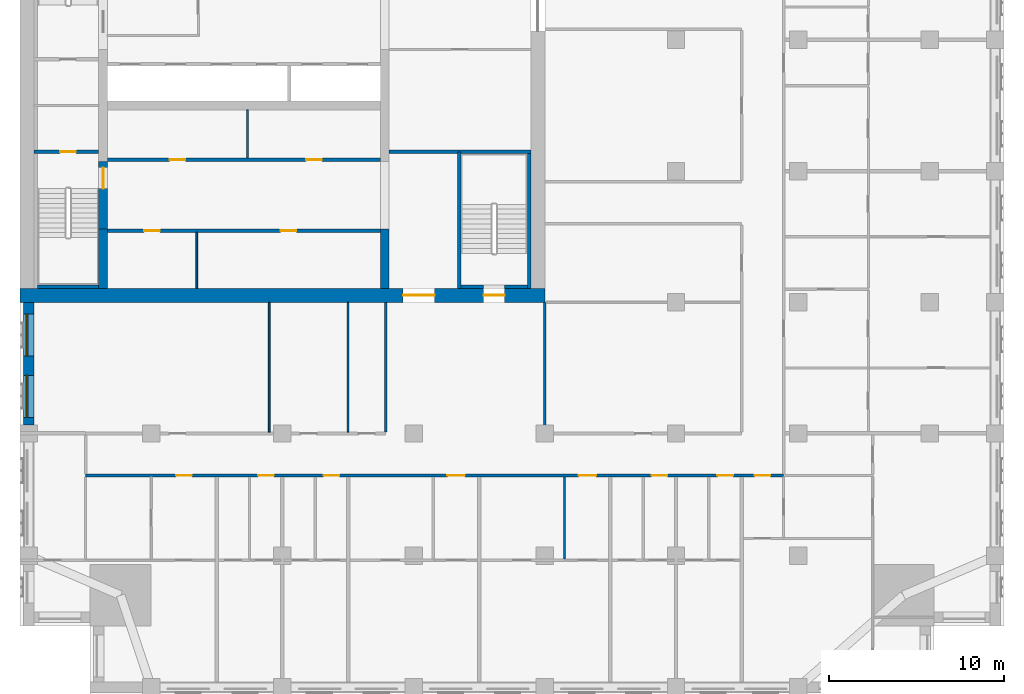
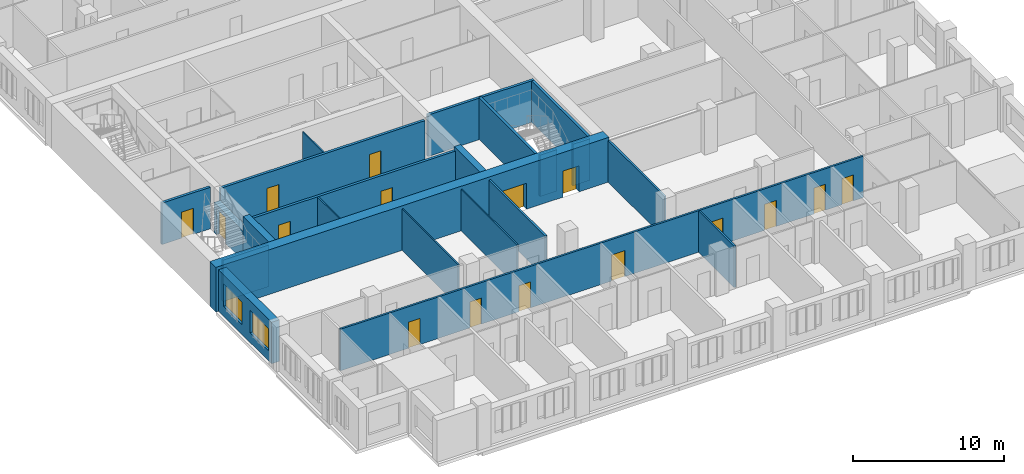
# One storey, part 5 of 14: 22 walls, 16 doors, 2 windows, 18 openings.
"""IFC4 building model written with IfcOpenShell, lengths in metres."""

from ifc_helpers import new_model, si_unit, direction, frame, frame_2d, origin, place, context, subcontext, project, spatial, rectangle, extrude, material, layer, layer_set, type_object, element, fill, save


model = new_model("IFC4")

# Units and contexts
model_context = context("Model", 3, precision=1e-05, world=origin(), true_north=direction((0.0, 1.0)))
body_context = subcontext(model_context, "Body", "Model", "MODEL_VIEW")
ifc_project = project(units=[si_unit("LENGTHUNIT", "METRE"), si_unit("AREAUNIT", "SQUARE_METRE"), si_unit("VOLUMEUNIT", "CUBIC_METRE"), si_unit("PLANEANGLEUNIT", "RADIAN"), si_unit("MASSUNIT", "GRAM", prefix="KILO")], contexts=[model_context])

# Site, building, storey
site_placement = place(None, origin())
site = spatial("IfcSite", under=ifc_project, at=site_placement, CompositionType="ELEMENT")
building_placement = place(site_placement, origin())
building = spatial("IfcBuilding", under=site, at=building_placement, Name="Tamorin Gate", CompositionType="ELEMENT")
storey_placement = place(building_placement, frame((0.0, 0.0, 155.39990234375)))
storey = spatial("IfcBuildingStorey", under=building, at=storey_placement, Name="L38", CompositionType="ELEMENT", Elevation=155.39990234375)

# Wall, openings, windows
ifc_material_1 = material(Name="Precast concrete C40/50", Category="concrete")
ifc_layer_1 = layer(ifc_material_1, 0.60009765625)
ifc_layer_set_1 = layer_set([ifc_layer_1], Name="Precast concrete C40/50")
wall_type_1 = type_object("IfcWallType", Name="Board-marked concrete facade panel 600", PredefinedType="SOLIDWALL", material=ifc_layer_set_1)
wall_1_placement = place(storey_placement, frame((30.5, 60.0, 0.0), z_axis=(0.0, 0.0, 1.0), x_axis=(0.0, -1.0, 0.0)))
wall_1 = element("IfcWall", 1, at=wall_1_placement, inside=storey, type_object=wall_type_1, Name="Facade panel", PredefinedType="SOLIDWALL", context=body_context, shape_type="SweptSolid", body=[
    extrude(rectangle(XDim=7.0, YDim=0.60009765625, at=frame_2d((3.5, 0.0))), origin(), (0.0, 0.0, 1.0), 3.35009765625),
])
opening_1_placement = place(wall_1_placement, frame((4.175048828125, 0.0, 0.800048828125)))
opening_1 = element("IfcOpeningElement", 2, at=opening_1_placement, cuts=wall_1, Name="Opening WN1", PredefinedType="OPENING", context=body_context, shape_type="SweptSolid", body=[
    extrude(rectangle(XDim=2.39990234375, YDim=1.800048828125, at=frame_2d((1.199951171875, 0.89990234375))), frame((0.0, 0.31005859375, 0.0), z_axis=(0.0, -1.0, 0.0), x_axis=(1.0, 0.0, 0.0)), (0.0, 0.0, 1.0), 0.6201171875),
])
opening_2_placement = place(wall_1_placement, frame((0.675048828125, 0.0, 0.800048828125)))
opening_2 = element("IfcOpeningElement", 3, at=opening_2_placement, cuts=wall_1, Name="Opening WN1", PredefinedType="OPENING", context=body_context, shape_type="SweptSolid", body=[
    extrude(rectangle(XDim=2.39990234375, YDim=1.800048828125, at=frame_2d((1.199951171875, 0.89990234375))), frame((0.0, 0.31005859375, 0.0), z_axis=(0.0, -1.0, 0.0), x_axis=(1.0, 0.0, 0.0)), (0.0, 0.0, 1.0), 0.6201171875),
])
ifc_material_2 = material(Name="Clear glass in aluminium frame", Category="aluminium")
window_type = type_object("IfcWindowType", Name="Deep-set window 2400x1800", PartitioningType="SINGLE_PANEL", PredefinedType="WINDOW", material=ifc_material_2)
window_1_placement = place(opening_1_placement, origin())
window_1 = element("IfcWindow", 4, at=window_1_placement, inside=storey, type_object=window_type, Name="Deep-set window", OverallHeight=1.800048828125, OverallWidth=2.39990234375, PartitioningType="SINGLE_PANEL", PredefinedType="WINDOW", context=body_context, shape_type="SweptSolid", body=[
    extrude(rectangle(XDim=2.39990234375, YDim=1.800048828125, at=frame_2d((1.199951171875, 0.89990234375))), frame((0.0, -0.070068359375, 0.0), z_axis=(0.0, -1.0, 0.0), x_axis=(1.0, 0.0, 0.0)), (0.0, 0.0, 1.0), 0.06005859375),
])
fill(opening_1, window_1)
window_2_placement = place(opening_2_placement, origin())
window_2 = element("IfcWindow", 5, at=window_2_placement, inside=storey, type_object=window_type, Name="Deep-set window", OverallHeight=1.800048828125, OverallWidth=2.39990234375, PartitioningType="SINGLE_PANEL", PredefinedType="WINDOW", context=body_context, shape_type="SweptSolid", body=[
    extrude(rectangle(XDim=2.39990234375, YDim=1.800048828125, at=frame_2d((1.199951171875, 0.89990234375))), frame((0.0, -0.070068359375, 0.0), z_axis=(0.0, -1.0, 0.0), x_axis=(1.0, 0.0, 0.0)), (0.0, 0.0, 1.0), 0.06005859375),
])
fill(opening_2, window_2)

# Wall, openings, doors
ifc_material_3 = material(Name="Gypsum board partition")
ifc_layer_2 = layer(ifc_material_3, 0.14990234375)
ifc_layer_set_2 = layer_set([ifc_layer_2], Name="Corridor wall 150")
wall_type_2 = type_object("IfcWallType", Name="Corridor wall 150", PredefinedType="PARTITIONING", material=ifc_layer_set_2)
wall_2_placement = place(storey_placement, frame((33.75, 50.10009765625, 0.0), z_axis=(0.0, 0.0, 1.0), x_axis=(1.0, 0.0, 0.0)))
wall_2 = element("IfcWall", 6, at=wall_2_placement, inside=storey, type_object=wall_type_2, Name="Corridor wall 150", PredefinedType="PARTITIONING", context=body_context, shape_type="SweptSolid", body=[
    extrude(rectangle(XDim=39.89990234375, YDim=0.14990234375, at=frame_2d((19.949951171875, 0.0))), origin(), (0.0, 0.0, 1.0), 3.35009765625),
])
opening_3_placement = place(wall_2_placement, frame((5.175048828125, 0.0, 0.0)))
opening_3 = element("IfcOpeningElement", 7, at=opening_3_placement, cuts=wall_2, Name="Opening DS4003", PredefinedType="OPENING", context=body_context, shape_type="SweptSolid", body=[
    extrude(rectangle(XDim=0.89990234375, YDim=2.10009765625, at=frame_2d((0.449951171875, 1.050048828125))), frame((0.0, 0.0849609375, 0.0), z_axis=(0.0, -1.0, 0.0), x_axis=(1.0, 0.0, 0.0)), (0.0, 0.0, 1.0), 0.169921875),
])
opening_4_placement = place(wall_2_placement, frame((9.862548828125, 0.0, 0.0)))
opening_4 = element("IfcOpeningElement", 8, at=opening_4_placement, cuts=wall_2, Name="Opening DS4006", PredefinedType="OPENING", context=body_context, shape_type="SweptSolid", body=[
    extrude(rectangle(XDim=0.89990234375, YDim=2.10009765625, at=frame_2d((0.449951171875, 1.050048828125))), frame((0.0, 0.0849609375, 0.0), z_axis=(0.0, -1.0, 0.0), x_axis=(1.0, 0.0, 0.0)), (0.0, 0.0, 1.0), 0.169921875),
])
opening_5_placement = place(wall_2_placement, frame((13.612548828125, 0.0, 0.0)))
opening_5 = element("IfcOpeningElement", 9, at=opening_5_placement, cuts=wall_2, Name="Opening DS4009", PredefinedType="OPENING", context=body_context, shape_type="SweptSolid", body=[
    extrude(rectangle(XDim=0.89990234375, YDim=2.10009765625, at=frame_2d((0.449951171875, 1.050048828125))), frame((0.0, 0.0849609375, 0.0), z_axis=(0.0, -1.0, 0.0), x_axis=(1.0, 0.0, 0.0)), (0.0, 0.0, 1.0), 0.169921875),
])
opening_6_placement = place(wall_2_placement, frame((20.6875, 0.0, 0.0)))
opening_6 = element("IfcOpeningElement", 10, at=opening_6_placement, cuts=wall_2, Name="Opening DS4012", PredefinedType="OPENING", context=body_context, shape_type="SweptSolid", body=[
    extrude(rectangle(XDim=1.0, YDim=2.10009765625, at=frame_2d((0.5, 1.050048828125))), frame((0.0, 0.0849609375, 0.0), z_axis=(0.0, -1.0, 0.0), x_axis=(1.0, 0.0, 0.0)), (0.0, 0.0, 1.0), 0.169921875),
])
opening_7_placement = place(wall_2_placement, frame((28.1875, 0.0, 0.0)))
opening_7 = element("IfcOpeningElement", 11, at=opening_7_placement, cuts=wall_2, Name="Opening DS4015", PredefinedType="OPENING", context=body_context, shape_type="SweptSolid", body=[
    extrude(rectangle(XDim=1.0, YDim=2.10009765625, at=frame_2d((0.5, 1.050048828125))), frame((0.0, 0.0849609375, 0.0), z_axis=(0.0, -1.0, 0.0), x_axis=(1.0, 0.0, 0.0)), (0.0, 0.0, 1.0), 0.169921875),
])
opening_8_placement = place(wall_2_placement, frame((32.362548828125, 0.0, 0.0)))
opening_8 = element("IfcOpeningElement", 12, at=opening_8_placement, cuts=wall_2, Name="Opening DS4018", PredefinedType="OPENING", context=body_context, shape_type="SweptSolid", body=[
    extrude(rectangle(XDim=0.89990234375, YDim=2.10009765625, at=frame_2d((0.449951171875, 1.050048828125))), frame((0.0, 0.0849609375, 0.0), z_axis=(0.0, -1.0, 0.0), x_axis=(1.0, 0.0, 0.0)), (0.0, 0.0, 1.0), 0.169921875),
])
opening_9_placement = place(wall_2_placement, frame((36.112548828125, 0.0, 0.0)))
opening_9 = element("IfcOpeningElement", 13, at=opening_9_placement, cuts=wall_2, Name="Opening DS4021", PredefinedType="OPENING", context=body_context, shape_type="SweptSolid", body=[
    extrude(rectangle(XDim=0.89990234375, YDim=2.10009765625, at=frame_2d((0.449951171875, 1.050048828125))), frame((0.0, 0.0849609375, 0.0), z_axis=(0.0, -1.0, 0.0), x_axis=(1.0, 0.0, 0.0)), (0.0, 0.0, 1.0), 0.169921875),
])
opening_10_placement = place(wall_2_placement, frame((38.25, 0.0, 0.0)))
opening_10 = element("IfcOpeningElement", 14, at=opening_10_placement, cuts=wall_2, Name="Opening DS4059", PredefinedType="OPENING", context=body_context, shape_type="SweptSolid", body=[
    extrude(rectangle(XDim=0.89990234375, YDim=2.10009765625, at=frame_2d((0.449951171875, 1.050048828125))), frame((0.0, 0.0849609375, 0.0), z_axis=(0.0, -1.0, 0.0), x_axis=(1.0, 0.0, 0.0)), (0.0, 0.0, 1.0), 0.169921875),
])
ifc_material_4 = material(Name="Timber door leaf", Category="wood")
door_type_1 = type_object("IfcDoorType", Name="Door 1000 x 2100 FD30S", OperationType="NOTDEFINED", PredefinedType="DOOR", material=ifc_material_4)
door_1_placement = place(opening_6_placement, origin())
door_1 = element("IfcDoor", 15, at=door_1_placement, inside=storey, type_object=door_type_1, Name="Door DS4012", OperationType="SINGLE_SWING_RIGHT", OverallHeight=2.10009765625, OverallWidth=1.0, PredefinedType="DOOR", context=body_context, shape_type="SweptSolid", body=[
    extrude(rectangle(XDim=1.0, YDim=2.10009765625, at=frame_2d((0.5, 1.050048828125))), frame((0.0, 0.02490234375, 0.0), z_axis=(0.0, -1.0, 0.0), x_axis=(1.0, 0.0, 0.0)), (0.0, 0.0, 1.0), 0.050048828125),
])
fill(opening_6, door_1)
door_2_placement = place(opening_7_placement, origin())
door_2 = element("IfcDoor", 16, at=door_2_placement, inside=storey, type_object=door_type_1, Name="Door DS4015", OperationType="SINGLE_SWING_RIGHT", OverallHeight=2.10009765625, OverallWidth=1.0, PredefinedType="DOOR", context=body_context, shape_type="SweptSolid", body=[
    extrude(rectangle(XDim=1.0, YDim=2.10009765625, at=frame_2d((0.5, 1.050048828125))), frame((0.0, 0.02490234375, 0.0), z_axis=(0.0, -1.0, 0.0), x_axis=(1.0, 0.0, 0.0)), (0.0, 0.0, 1.0), 0.050048828125),
])
fill(opening_7, door_2)
door_type_2 = type_object("IfcDoorType", Name="Door 900 x 2100 FD30S", OperationType="NOTDEFINED", PredefinedType="DOOR", material=ifc_material_4)
door_3_placement = place(opening_3_placement, origin())
door_3 = element("IfcDoor", 17, at=door_3_placement, inside=storey, type_object=door_type_2, Name="Door DS4003", OperationType="SINGLE_SWING_RIGHT", OverallHeight=2.10009765625, OverallWidth=0.89990234375, PredefinedType="DOOR", context=body_context, shape_type="SweptSolid", body=[
    extrude(rectangle(XDim=0.89990234375, YDim=2.10009765625, at=frame_2d((0.449951171875, 1.050048828125))), frame((0.0, 0.02490234375, 0.0), z_axis=(0.0, -1.0, 0.0), x_axis=(1.0, 0.0, 0.0)), (0.0, 0.0, 1.0), 0.050048828125),
])
fill(opening_3, door_3)
door_4_placement = place(opening_4_placement, origin())
door_4 = element("IfcDoor", 18, at=door_4_placement, inside=storey, type_object=door_type_2, Name="Door DS4006", OperationType="SINGLE_SWING_RIGHT", OverallHeight=2.10009765625, OverallWidth=0.89990234375, PredefinedType="DOOR", context=body_context, shape_type="SweptSolid", body=[
    extrude(rectangle(XDim=0.89990234375, YDim=2.10009765625, at=frame_2d((0.449951171875, 1.050048828125))), frame((0.0, 0.02490234375, 0.0), z_axis=(0.0, -1.0, 0.0), x_axis=(1.0, 0.0, 0.0)), (0.0, 0.0, 1.0), 0.050048828125),
])
fill(opening_4, door_4)
door_5_placement = place(opening_5_placement, origin())
door_5 = element("IfcDoor", 19, at=door_5_placement, inside=storey, type_object=door_type_2, Name="Door DS4009", OperationType="SINGLE_SWING_RIGHT", OverallHeight=2.10009765625, OverallWidth=0.89990234375, PredefinedType="DOOR", context=body_context, shape_type="SweptSolid", body=[
    extrude(rectangle(XDim=0.89990234375, YDim=2.10009765625, at=frame_2d((0.449951171875, 1.050048828125))), frame((0.0, 0.02490234375, 0.0), z_axis=(0.0, -1.0, 0.0), x_axis=(1.0, 0.0, 0.0)), (0.0, 0.0, 1.0), 0.050048828125),
])
fill(opening_5, door_5)
door_6_placement = place(opening_8_placement, origin())
door_6 = element("IfcDoor", 20, at=door_6_placement, inside=storey, type_object=door_type_2, Name="Door DS4018", OperationType="SINGLE_SWING_RIGHT", OverallHeight=2.10009765625, OverallWidth=0.89990234375, PredefinedType="DOOR", context=body_context, shape_type="SweptSolid", body=[
    extrude(rectangle(XDim=0.89990234375, YDim=2.10009765625, at=frame_2d((0.449951171875, 1.050048828125))), frame((0.0, 0.02490234375, 0.0), z_axis=(0.0, -1.0, 0.0), x_axis=(1.0, 0.0, 0.0)), (0.0, 0.0, 1.0), 0.050048828125),
])
fill(opening_8, door_6)
door_7_placement = place(opening_9_placement, origin())
door_7 = element("IfcDoor", 21, at=door_7_placement, inside=storey, type_object=door_type_2, Name="Door DS4021", OperationType="SINGLE_SWING_RIGHT", OverallHeight=2.10009765625, OverallWidth=0.89990234375, PredefinedType="DOOR", context=body_context, shape_type="SweptSolid", body=[
    extrude(rectangle(XDim=0.89990234375, YDim=2.10009765625, at=frame_2d((0.449951171875, 1.050048828125))), frame((0.0, 0.02490234375, 0.0), z_axis=(0.0, -1.0, 0.0), x_axis=(1.0, 0.0, 0.0)), (0.0, 0.0, 1.0), 0.050048828125),
])
fill(opening_9, door_7)
door_8_placement = place(opening_10_placement, origin())
door_8 = element("IfcDoor", 22, at=door_8_placement, inside=storey, type_object=door_type_2, Name="Door DS4059", OperationType="SINGLE_SWING_LEFT", OverallHeight=2.10009765625, OverallWidth=0.89990234375, PredefinedType="DOOR", context=body_context, shape_type="SweptSolid", body=[
    extrude(rectangle(XDim=0.89990234375, YDim=2.10009765625, at=frame_2d((0.449951171875, 1.050048828125))), frame((0.0, 0.02490234375, 0.0), z_axis=(0.0, -1.0, 0.0), x_axis=(1.0, 0.0, 0.0)), (0.0, 0.0, 1.0), 0.050048828125),
])
fill(opening_10, door_8)

# Walls
ifc_layer_3 = layer(ifc_material_3, 0.14990234375)
ifc_layer_set_3 = layer_set([ifc_layer_3], Name="Lobby wall 150")
wall_type_3 = type_object("IfcWallType", Name="Lobby wall 150", PredefinedType="PARTITIONING", material=ifc_layer_set_3)
for number, where, z_axis, x_axis, name in (
    (23, (50.89990234375, 52.574951171875, 0.0), (0.0, 0.0, 1.0), (0.0, 1.0, 0.0), "Lobby wall 150"),
    (24, (60.0, 52.574951171875, 0.0), (0.0, 0.0, 1.0), (0.0, 1.0, 0.0), "Lobby wall 150"),
):
    element("IfcWall", number, at=place(storey_placement, frame(where, z_axis=z_axis, x_axis=x_axis)), inside=storey, type_object=wall_type_3, Name=name, PredefinedType="PARTITIONING", context=body_context, shape_type="SweptSolid", body=[
        extrude(rectangle(XDim=7.425048828125, YDim=0.14990234375, at=frame_2d((3.71240234375, 0.0))), origin(), (0.0, 0.0, 1.0), 3.35009765625),
    ])
ifc_material_5 = material(Name="Concrete C60/75", Category="concrete")
ifc_layer_4 = layer(ifc_material_5, 0.5)
ifc_layer_set_4 = layer_set([ifc_layer_4], Name="RC core internal wall 500 C60/75")
wall_type_4 = type_object("IfcWallType", Name="RC core internal wall 500 C60/75", PredefinedType="SHEAR", material=ifc_layer_set_4)
for number, where, z_axis, x_axis, name in (
    (25, (34.75, 60.800048828125, 0.0), (0.0, 0.0, 1.0), (0.0, 1.0, 0.0), "Core cross wall L38"),
    (26, (50.85009765625, 60.800048828125, 0.0), (0.0, 0.0, 1.0), (0.0, 1.0, 0.0), "Core cross wall L38"),
):
    element("IfcWall", number, at=place(storey_placement, frame(where, z_axis=z_axis, x_axis=x_axis)), inside=storey, type_object=wall_type_4, Name=name, PredefinedType="SHEAR", context=body_context, shape_type="SweptSolid", body=[
        extrude(rectangle(XDim=3.39990234375, YDim=0.5, at=frame_2d((1.699951171875, 0.0))), origin(), (0.0, 0.0, 1.0), 3.60009765625),
    ])

# Wall, openings, doors
ifc_layer_5 = layer(ifc_material_5, 0.800048828125)
ifc_layer_set_5 = layer_set([ifc_layer_5], Name="RC core wall 800 C60/75")
wall_type_5 = type_object("IfcWallType", Name="RC core wall 800 C60/75", PredefinedType="SHEAR", material=ifc_layer_set_5)
wall_3_placement = place(storey_placement, frame((30.0, 60.39990234375, 0.0), z_axis=(0.0, 0.0, 1.0), x_axis=(1.0, 0.0, 0.0)))
wall_3 = element("IfcWall", 27, at=wall_3_placement, inside=storey, type_object=wall_type_5, Name="Core wall L38", PredefinedType="SHEAR", context=body_context, shape_type="SweptSolid", body=[
    extrude(rectangle(XDim=30.0, YDim=0.800048828125, at=frame_2d((15.0, 0.0))), origin(), (0.0, 0.0, 1.0), 3.60009765625),
])
opening_11_placement = place(wall_3_placement, frame((21.89990234375, 0.0, 0.0)))
opening_11 = element("IfcOpeningElement", 28, at=opening_11_placement, cuts=wall_3, Name="Opening DE1", PredefinedType="OPENING", context=body_context, shape_type="SweptSolid", body=[
    extrude(rectangle(XDim=1.800048828125, YDim=2.10009765625, at=frame_2d((0.89990234375, 1.050048828125))), frame((0.0, 0.409912109375, 0.0), z_axis=(0.0, -1.0, 0.0), x_axis=(1.0, 0.0, 0.0)), (0.0, 0.0, 1.0), 0.820068359375),
])
opening_12_placement = place(wall_3_placement, frame((26.5, 0.0, 0.0)))
opening_12 = element("IfcOpeningElement", 29, at=opening_12_placement, cuts=wall_3, Name="Opening DS1", PredefinedType="OPENING", context=body_context, shape_type="SweptSolid", body=[
    extrude(rectangle(XDim=1.199951171875, YDim=2.10009765625, at=frame_2d((0.60009765625, 1.050048828125))), frame((0.0, 0.409912109375, 0.0), z_axis=(0.0, -1.0, 0.0), x_axis=(1.0, 0.0, 0.0)), (0.0, 0.0, 1.0), 0.820068359375),
])
ifc_material_6 = material(Name="Steel fire door", Category="steel")
door_type_3 = type_object("IfcDoorType", Name="Lobby exit double door 1800 x 2100 EI 60", OperationType="DOUBLE_DOOR_SINGLE_SWING", PredefinedType="DOOR", material=ifc_material_6)
door_9_placement = place(opening_11_placement, origin())
door_9 = element("IfcDoor", 30, at=door_9_placement, inside=storey, type_object=door_type_3, Name="Lift lobby A exit door", OperationType="DOUBLE_DOOR_SINGLE_SWING", OverallHeight=2.10009765625, OverallWidth=1.800048828125, PredefinedType="DOOR", context=body_context, shape_type="SweptSolid", body=[
    extrude(rectangle(XDim=1.800048828125, YDim=2.10009765625, at=frame_2d((0.89990234375, 1.050048828125))), frame((0.0, 0.02490234375, 0.0), z_axis=(0.0, -1.0, 0.0), x_axis=(1.0, 0.0, 0.0)), (0.0, 0.0, 1.0), 0.050048828125),
])
fill(opening_11, door_9)
door_type_4 = type_object("IfcDoorType", Name="Stair door 1200 x 2100 EI 90", OperationType="SINGLE_SWING_LEFT", PredefinedType="DOOR", material=ifc_material_6)
door_10_placement = place(opening_12_placement, origin())
door_10 = element("IfcDoor", 31, at=door_10_placement, inside=storey, type_object=door_type_4, Name="ST3 door", OperationType="SINGLE_SWING_LEFT", OverallHeight=2.10009765625, OverallWidth=1.199951171875, PredefinedType="DOOR", context=body_context, shape_type="SweptSolid", body=[
    extrude(rectangle(XDim=1.199951171875, YDim=2.10009765625, at=frame_2d((0.60009765625, 1.050048828125))), frame((0.0, 0.02490234375, 0.0), z_axis=(0.0, -1.0, 0.0), x_axis=(1.0, 0.0, 0.0)), (0.0, 0.0, 1.0), 0.050048828125),
])
fill(opening_12, door_10)

# Walls
ifc_layer_6 = layer(ifc_material_3, 0.10009765625)
ifc_layer_set_6 = layer_set([ifc_layer_6], Name="Room partition 100")
wall_type_6 = type_object("IfcWallType", Name="Room partition 100", PredefinedType="PARTITIONING", material=ifc_layer_set_6)
for number, where, z_axis, x_axis, name in (
    (32, (44.25, 52.574951171875, 0.0), (0.0, 0.0, 1.0), (0.0, 1.0, 0.0), "Room partition 100"),
    (33, (48.75, 52.574951171875, 0.0), (0.0, 0.0, 1.0), (0.0, 1.0, 0.0), "Room partition 100"),
):
    element("IfcWall", number, at=place(storey_placement, frame(where, z_axis=z_axis, x_axis=x_axis)), inside=storey, type_object=wall_type_6, Name=name, PredefinedType="PARTITIONING", context=body_context, shape_type="SweptSolid", body=[
        extrude(rectangle(XDim=7.425048828125, YDim=0.10009765625, at=frame_2d((3.71240234375, 0.0))), origin(), (0.0, 0.0, 1.0), 3.35009765625),
    ])

# Wall, openings, doors
ifc_layer_7 = layer(ifc_material_3, 0.199951171875)
ifc_layer_set_7 = layer_set([ifc_layer_7], Name="Service room face wall 200 EI 60")
wall_type_7 = type_object("IfcWallType", Name="Service room face wall 200 EI 60", PredefinedType="PARTITIONING", material=ifc_layer_set_7)
wall_4_placement = place(storey_placement, frame((35.0, 64.10009765625, 0.0), z_axis=(0.0, 0.0, 1.0), x_axis=(1.0, 0.0, 0.0)))
wall_4 = element("IfcWall", 34, at=wall_4_placement, inside=storey, type_object=wall_type_7, Name="Service room face wall", PredefinedType="PARTITIONING", context=body_context, shape_type="SweptSolid", body=[
    extrude(rectangle(XDim=15.60009765625, YDim=0.199951171875, at=frame_2d((7.800048828125, 0.0))), origin(), (0.0, 0.0, 1.0), 3.35009765625),
])
opening_13_placement = place(wall_4_placement, frame((2.10009765625, 0.0, 0.0)))
opening_13 = element("IfcOpeningElement", 35, at=opening_13_placement, cuts=wall_4, Name="Opening DK1", PredefinedType="OPENING", context=body_context, shape_type="SweptSolid", body=[
    extrude(rectangle(XDim=0.89990234375, YDim=2.10009765625, at=frame_2d((0.449951171875, 1.050048828125))), frame((0.0, 0.10986328125, 0.0), z_axis=(0.0, -1.0, 0.0), x_axis=(1.0, 0.0, 0.0)), (0.0, 0.0, 1.0), 0.219970703125),
])
opening_14_placement = place(wall_4_placement, frame((9.89990234375, 0.0, 0.0)))
opening_14 = element("IfcOpeningElement", 36, at=opening_14_placement, cuts=wall_4, Name="Opening DK1", PredefinedType="OPENING", context=body_context, shape_type="SweptSolid", body=[
    extrude(rectangle(XDim=0.89990234375, YDim=2.10009765625, at=frame_2d((0.449951171875, 1.050048828125))), frame((0.0, 0.10986328125, 0.0), z_axis=(0.0, -1.0, 0.0), x_axis=(1.0, 0.0, 0.0)), (0.0, 0.0, 1.0), 0.219970703125),
])
ifc_material_7 = material(Name="Timber fire door", Category="wood")
door_type_5 = type_object("IfcDoorType", Name="Service room door 900 x 2100 EI 60", OperationType="SINGLE_SWING_LEFT", PredefinedType="DOOR", material=ifc_material_7)
door_11_placement = place(opening_13_placement, origin())
door_11 = element("IfcDoor", 37, at=door_11_placement, inside=storey, type_object=door_type_5, Name="Door Pantry", OperationType="SINGLE_SWING_RIGHT", OverallHeight=2.10009765625, OverallWidth=0.89990234375, PredefinedType="DOOR", context=body_context, shape_type="SweptSolid", body=[
    extrude(rectangle(XDim=0.89990234375, YDim=2.10009765625, at=frame_2d((0.449951171875, 1.050048828125))), frame((0.0, 0.02490234375, 0.0), z_axis=(0.0, -1.0, 0.0), x_axis=(1.0, 0.0, 0.0)), (0.0, 0.0, 1.0), 0.050048828125),
])
fill(opening_13, door_11)
door_12_placement = place(opening_14_placement, origin())
door_12 = element("IfcDoor", 38, at=door_12_placement, inside=storey, type_object=door_type_5, Name="Door Linen store", OperationType="SINGLE_SWING_LEFT", OverallHeight=2.10009765625, OverallWidth=0.89990234375, PredefinedType="DOOR", context=body_context, shape_type="SweptSolid", body=[
    extrude(rectangle(XDim=0.89990234375, YDim=2.10009765625, at=frame_2d((0.449951171875, 1.050048828125))), frame((0.0, 0.02490234375, 0.0), z_axis=(0.0, -1.0, 0.0), x_axis=(1.0, 0.0, 0.0)), (0.0, 0.0, 1.0), 0.050048828125),
])
fill(opening_14, door_12)

wall_5_placement = place(storey_placement, frame((35.0, 68.14990234375, 0.0), z_axis=(0.0, 0.0, 1.0), x_axis=(1.0, 0.0, 0.0)))
wall_5 = element("IfcWall", 39, at=wall_5_placement, inside=storey, type_object=wall_type_7, Name="Service room face wall", PredefinedType="PARTITIONING", context=body_context, shape_type="SweptSolid", body=[
    extrude(rectangle(XDim=15.60009765625, YDim=0.199951171875, at=frame_2d((7.800048828125, 0.0))), origin(), (0.0, 0.0, 1.0), 3.35009765625),
])
opening_15_placement = place(wall_5_placement, frame((3.550048828125, 0.0, 0.0)))
opening_15 = element("IfcOpeningElement", 40, at=opening_15_placement, cuts=wall_5, Name="Opening DK1", PredefinedType="OPENING", context=body_context, shape_type="SweptSolid", body=[
    extrude(rectangle(XDim=0.89990234375, YDim=2.10009765625, at=frame_2d((0.449951171875, 1.050048828125))), frame((0.0, 0.10986328125, 0.0), z_axis=(0.0, -1.0, 0.0), x_axis=(1.0, 0.0, 0.0)), (0.0, 0.0, 1.0), 0.219970703125),
])
opening_16_placement = place(wall_5_placement, frame((11.35009765625, 0.0, 0.0)))
opening_16 = element("IfcOpeningElement", 41, at=opening_16_placement, cuts=wall_5, Name="Opening DK1", PredefinedType="OPENING", context=body_context, shape_type="SweptSolid", body=[
    extrude(rectangle(XDim=0.89990234375, YDim=2.10009765625, at=frame_2d((0.449951171875, 1.050048828125))), frame((0.0, 0.10986328125, 0.0), z_axis=(0.0, -1.0, 0.0), x_axis=(1.0, 0.0, 0.0)), (0.0, 0.0, 1.0), 0.219970703125),
])
door_13_placement = place(opening_15_placement, origin())
door_13 = element("IfcDoor", 42, at=door_13_placement, inside=storey, type_object=door_type_5, Name="Door Linen store", OperationType="SINGLE_SWING_RIGHT", OverallHeight=2.10009765625, OverallWidth=0.89990234375, PredefinedType="DOOR", context=body_context, shape_type="SweptSolid", body=[
    extrude(rectangle(XDim=0.89990234375, YDim=2.10009765625, at=frame_2d((0.449951171875, 1.050048828125))), frame((0.0, 0.02490234375, 0.0), z_axis=(0.0, -1.0, 0.0), x_axis=(1.0, 0.0, 0.0)), (0.0, 0.0, 1.0), 0.050048828125),
])
fill(opening_15, door_13)
door_14_placement = place(opening_16_placement, origin())
door_14 = element("IfcDoor", 43, at=door_14_placement, inside=storey, type_object=door_type_5, Name="Door Cleaner's store", OperationType="SINGLE_SWING_LEFT", OverallHeight=2.10009765625, OverallWidth=0.89990234375, PredefinedType="DOOR", context=body_context, shape_type="SweptSolid", body=[
    extrude(rectangle(XDim=0.89990234375, YDim=2.10009765625, at=frame_2d((0.449951171875, 1.050048828125))), frame((0.0, 0.02490234375, 0.0), z_axis=(0.0, -1.0, 0.0), x_axis=(1.0, 0.0, 0.0)), (0.0, 0.0, 1.0), 0.050048828125),
])
fill(opening_16, door_14)

# Walls
ifc_layer_8 = layer(ifc_material_3, 0.10009765625)
ifc_layer_set_8 = layer_set([ifc_layer_8], Name="Service room partition 100 EI 60")
wall_type_8 = type_object("IfcWallType", Name="Service room partition 100 EI 60", PredefinedType="PARTITIONING", material=ifc_layer_set_8)
wall_6_placement = place(storey_placement, frame((40.10009765625, 60.800048828125, 0.0), z_axis=(0.0, 0.0, 1.0), x_axis=(0.0, 1.0, 0.0)))
element("IfcWall", 44, at=wall_6_placement, inside=storey, type_object=wall_type_8, Name="Service room partition", PredefinedType="PARTITIONING", context=body_context, shape_type="SweptSolid", body=[
    extrude(rectangle(XDim=3.199951171875, YDim=0.10009765625, at=frame_2d((1.60009765625, 0.0))), origin(), (0.0, 0.0, 1.0), 3.35009765625),
])
wall_7_placement = place(storey_placement, frame((43.0, 68.25, 0.0), z_axis=(0.0, 0.0, 1.0), x_axis=(0.0, 1.0, 0.0)))
element("IfcWall", 45, at=wall_7_placement, inside=storey, type_object=wall_type_8, Name="Service room partition", PredefinedType="PARTITIONING", context=body_context, shape_type="SweptSolid", body=[
    extrude(rectangle(XDim=2.75, YDim=0.10009765625, at=frame_2d((1.375, 0.0))), origin(), (0.0, 0.0, 1.0), 3.35009765625),
])

# Wall, opening, door
ifc_material_8 = material(Name="Concrete C40/50", Category="concrete")
ifc_layer_9 = layer(ifc_material_8, 0.199951171875)
ifc_layer_set_9 = layer_set([ifc_layer_9], Name="Stair enclosure wall 200 EI 120 C40/50")
wall_type_9 = type_object("IfcWallType", Name="Stair enclosure wall 200 EI 120 C40/50", PredefinedType="SOLIDWALL", material=ifc_layer_set_9)
wall_8_placement = place(storey_placement, frame((30.800048828125, 68.60009765625, 0.0), z_axis=(0.0, 0.0, 1.0), x_axis=(1.0, 0.0, 0.0)))
wall_8 = element("IfcWall", 46, at=wall_8_placement, inside=storey, type_object=wall_type_9, Name="Stair enclosure wall", PredefinedType="SOLIDWALL", context=body_context, shape_type="SweptSolid", body=[
    extrude(rectangle(XDim=3.699951171875, YDim=0.199951171875, at=frame_2d((1.85009765625, 0.0))), origin(), (0.0, 0.0, 1.0), 3.35009765625),
])
opening_17_placement = place(wall_8_placement, frame((1.5, 0.0, 0.0)))
opening_17 = element("IfcOpeningElement", 47, at=opening_17_placement, cuts=wall_8, Name="Opening DR1", PredefinedType="OPENING", context=body_context, shape_type="SweptSolid", body=[
    extrude(rectangle(XDim=0.89990234375, YDim=2.10009765625, at=frame_2d((0.449951171875, 1.050048828125))), frame((0.0, 0.10986328125, 0.0), z_axis=(0.0, -1.0, 0.0), x_axis=(1.0, 0.0, 0.0)), (0.0, 0.0, 1.0), 0.219970703125),
])
door_type_6 = type_object("IfcDoorType", Name="Riser access door 900 x 2100 EI 120", OperationType="SINGLE_SWING_LEFT", PredefinedType="DOOR", material=ifc_material_6)
door_15_placement = place(opening_17_placement, origin())
door_15 = element("IfcDoor", 48, at=door_15_placement, inside=storey, type_object=door_type_6, Name="Electrical riser door", OperationType="SINGLE_SWING_LEFT", OverallHeight=2.10009765625, OverallWidth=0.89990234375, PredefinedType="DOOR", context=body_context, shape_type="SweptSolid", body=[
    extrude(rectangle(XDim=0.89990234375, YDim=2.10009765625, at=frame_2d((0.449951171875, 1.050048828125))), frame((0.0, 0.02490234375, 0.0), z_axis=(0.0, -1.0, 0.0), x_axis=(1.0, 0.0, 0.0)), (0.0, 0.0, 1.0), 0.050048828125),
])
fill(opening_17, door_15)

# Walls
wall_9_placement = place(storey_placement, frame((55.10009765625, 60.800048828125, 0.0), z_axis=(0.0, 0.0, 1.0), x_axis=(0.0, 1.0, 0.0)))
element("IfcWall", 49, at=wall_9_placement, inside=storey, type_object=wall_type_9, Name="Stair enclosure wall", PredefinedType="SOLIDWALL", context=body_context, shape_type="SweptSolid", body=[
    extrude(rectangle(XDim=7.800048828125, YDim=0.199951171875, at=frame_2d((3.89990234375, 0.0))), origin(), (0.0, 0.0, 1.0), 3.35009765625),
])
wall_10_placement = place(storey_placement, frame((51.10009765625, 68.60009765625, 0.0), z_axis=(0.0, 0.0, 1.0), x_axis=(1.0, 0.0, 0.0)))
element("IfcWall", 50, at=wall_10_placement, inside=storey, type_object=wall_type_9, Name="Stair enclosure wall", PredefinedType="SOLIDWALL", context=body_context, shape_type="SweptSolid", body=[
    extrude(rectangle(XDim=8.099853515625, YDim=0.199951171875, at=frame_2d((4.0498046875, 0.0))), origin(), (0.0, 0.0, 1.0), 3.35009765625),
])
ifc_layer_10 = layer(ifc_material_5, 0.199951171875)
ifc_layer_set_10 = layer_set([ifc_layer_10], Name="Stair lining wall 200 EI 120 C60/75")
wall_type_10 = type_object("IfcWallType", Name="Stair lining wall 200 EI 120 C60/75", PredefinedType="SOLIDWALL", material=ifc_layer_set_10)
wall_11_placement = place(storey_placement, frame((31.0, 60.89990234375, 0.0), z_axis=(0.0, 0.0, 1.0), x_axis=(1.0, 0.0, 0.0)))
element("IfcWall", 51, at=wall_11_placement, inside=storey, type_object=wall_type_10, Name="Stair lining wall", PredefinedType="SOLIDWALL", context=body_context, shape_type="SweptSolid", body=[
    extrude(rectangle(XDim=3.5, YDim=0.199951171875, at=frame_2d((1.75, 0.0))), origin(), (0.0, 0.0, 1.0), 3.35009765625),
])
for number, where, z_axis, x_axis, name in (
    (52, (55.199951171875, 60.89990234375, 0.0), (0.0, 0.0, 1.0), (1.0, 0.0, 0.0), "Stair lining wall"),
    (53, (57.699951171875, 60.89990234375, 0.0), (0.0, 0.0, 1.0), (1.0, 0.0, 0.0), "Stair lining wall"),
):
    element("IfcWall", number, at=place(storey_placement, frame(where, z_axis=z_axis, x_axis=x_axis)), inside=storey, type_object=wall_type_10, Name=name, PredefinedType="SOLIDWALL", context=body_context, shape_type="SweptSolid", body=[
        extrude(rectangle(XDim=1.300048828125, YDim=0.199951171875, at=frame_2d((0.64990234375, 0.0))), origin(), (0.0, 0.0, 1.0), 3.35009765625),
    ])
wall_12_placement = place(storey_placement, frame((59.10009765625, 60.800048828125, 0.0), z_axis=(0.0, 0.0, 1.0), x_axis=(0.0, 1.0, 0.0)))
element("IfcWall", 54, at=wall_12_placement, inside=storey, type_object=wall_type_10, Name="Stair lining wall", PredefinedType="SOLIDWALL", context=body_context, shape_type="SweptSolid", body=[
    extrude(rectangle(XDim=7.699951171875, YDim=0.199951171875, at=frame_2d((3.85009765625, 0.0))), origin(), (0.0, 0.0, 1.0), 3.35009765625),
])

# Wall, opening, door
ifc_material_9 = material(Name="Concrete C32/40", Category="concrete")
ifc_layer_11 = layer(ifc_material_9, 0.5)
ifc_layer_set_11 = layer_set([ifc_layer_11], Name="Stair lobby infill wall 500 EI 120")
wall_type_11 = type_object("IfcWallType", Name="Stair lobby infill wall 500 EI 120", PredefinedType="SOLIDWALL", material=ifc_layer_set_11)
wall_13_placement = place(storey_placement, frame((34.75, 64.199951171875, 0.0), z_axis=(0.0, 0.0, 1.0), x_axis=(0.0, 1.0, 0.0)))
wall_13 = element("IfcWall", 55, at=wall_13_placement, inside=storey, type_object=wall_type_11, Name="Stair lobby infill wall", PredefinedType="SOLIDWALL", context=body_context, shape_type="SweptSolid", body=[
    extrude(rectangle(XDim=3.85009765625, YDim=0.5, at=frame_2d((1.925048828125, 0.0))), origin(), (0.0, 0.0, 1.0), 2.400146484375),
])
opening_18_placement = place(wall_13_placement, frame((2.300048828125, 0.0, 0.0)))
opening_18 = element("IfcOpeningElement", 56, at=opening_18_placement, cuts=wall_13, Name="Opening DS1", PredefinedType="OPENING", context=body_context, shape_type="SweptSolid", body=[
    extrude(rectangle(XDim=1.199951171875, YDim=2.10009765625, at=frame_2d((0.60009765625, 1.050048828125))), frame((0.0, 0.260009765625, 0.0), z_axis=(0.0, -1.0, 0.0), x_axis=(1.0, 0.0, 0.0)), (0.0, 0.0, 1.0), 0.52001953125),
])
door_16_placement = place(opening_18_placement, origin())
door_16 = element("IfcDoor", 57, at=door_16_placement, inside=storey, type_object=door_type_4, Name="ST1 door", OperationType="SINGLE_SWING_LEFT", OverallHeight=2.10009765625, OverallWidth=1.199951171875, PredefinedType="DOOR", context=body_context, shape_type="SweptSolid", body=[
    extrude(rectangle(XDim=1.199951171875, YDim=2.10009765625, at=frame_2d((0.60009765625, 1.050048828125))), frame((0.0, 0.02490234375, 0.0), z_axis=(0.0, -1.0, 0.0), x_axis=(1.0, 0.0, 0.0)), (0.0, 0.0, 1.0), 0.050048828125),
])
fill(opening_18, door_16)

# Wall
ifc_layer_12 = layer(ifc_material_3, 0.125)
ifc_layer_set_12 = layer_set([ifc_layer_12], Name="Wet wall 125")
wall_type_12 = type_object("IfcWallType", Name="Wet wall 125", PredefinedType="PARTITIONING", material=ifc_layer_set_12)
wall_14_placement = place(storey_placement, frame((61.125, 45.3125, 0.0), z_axis=(0.0, 0.0, 1.0), x_axis=(0.0, 1.0, 0.0)))
element("IfcWall", 58, at=wall_14_placement, inside=storey, type_object=wall_type_12, Name="Wet wall 125", PredefinedType="PARTITIONING", context=body_context, shape_type="SweptSolid", body=[
    extrude(rectangle(XDim=4.71240234375, YDim=0.125, at=frame_2d((2.356201171875, 0.0))), origin(), (0.0, 0.0, 1.0), 3.35009765625),
])

save(model, "model.ifc")
